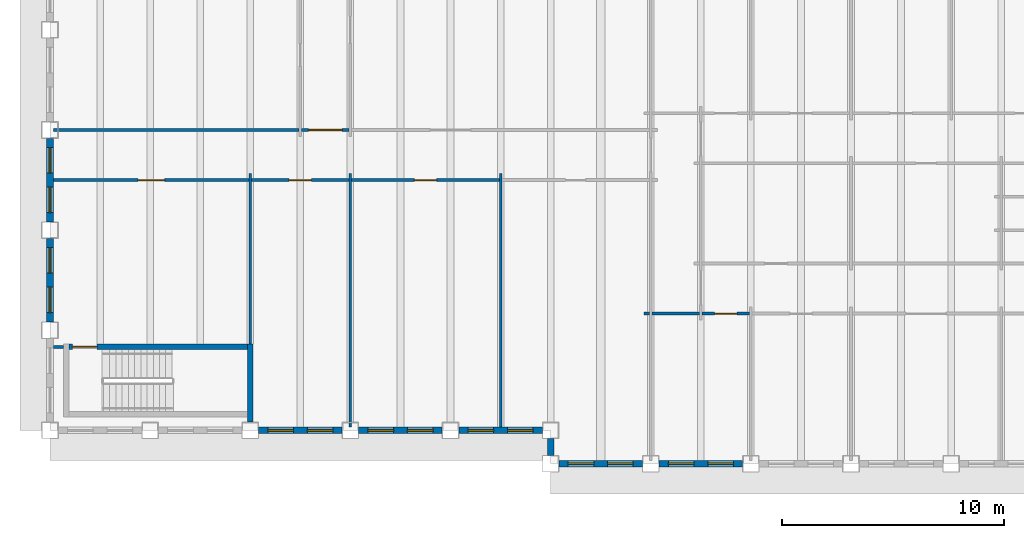
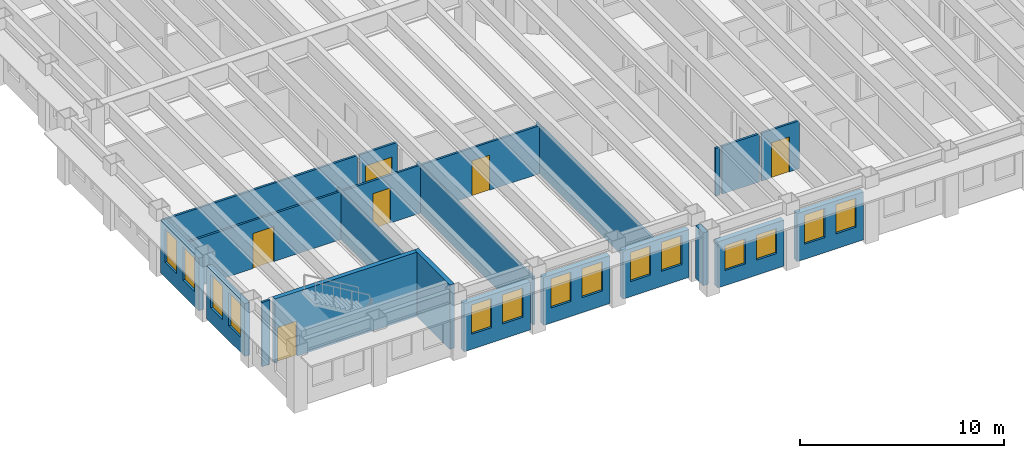
# One storey, part 3 of 16: 22 walls, 14 windows, 6 doors, 20 openings.
"""IFC4 building model written with IfcOpenShell, lengths in metres."""

import ifcopenshell
import ifcopenshell.guid

model = None  # the IFC model being written
_history = None  # IfcOwnerHistory: only IFC2X3 demands one
_inside = {}  # id of a spatial element -> (the spatial element, [elements in it])
_under = {}  # id of a project, library or spatial element -> (it, [spatial elements below it])
_declared = {}  # id of a project -> (the project, [libraries it declares])
_typed = {}  # id of a type object -> (the type object, [elements of that type])
_made_of = {}  # id of a material, layer set ... -> (it, [elements and type objects made of it])


def new_model(schema):
    """Start an empty IFC model of exactly this schema.

    Asked for "IFC4X3", IfcOpenShell would pick the latest addendum, in which some entities
    have other attributes; the version numbers below select the first issue.
    IFC2X3 requires an IfcOwnerHistory on every rooted entity: one is made here for all.
    """
    global model, _history
    if schema == "IFC4X3":
        model = ifcopenshell.file(schema_version=(4, 3, 0, 0))
    else:
        model = ifcopenshell.file(schema=schema)
    _inside.clear()
    _under.clear()
    _declared.clear()
    _typed.clear()
    _made_of.clear()
    _history = None
    if model.schema == "IFC2X3":
        org = make("IfcOrganization", Name="unknown")
        user = make(
            "IfcPersonAndOrganization",
            ThePerson=make("IfcPerson", FamilyName="unknown"),
            TheOrganization=org,
        )
        app = make(
            "IfcApplication",
            ApplicationDeveloper=org,
            Version="unknown",
            ApplicationFullName="unknown",
            ApplicationIdentifier="unknown",
        )
        _history = make(
            "IfcOwnerHistory",
            OwningUser=user,
            OwningApplication=app,
            ChangeAction="ADDED",
            CreationDate=0,
        )
    return model


def make(cls, **values):
    """One entity of the class cls with the attributes given. An attribute that is None is left unset."""
    return model.create_entity(
        cls, **{name: value for name, value in values.items() if value is not None}
    )


def rooted(cls, **values):
    """An entity with a GlobalId (a new one), such as an element, a storey or a relation."""
    return make(cls, GlobalId=ifcopenshell.guid.new(), OwnerHistory=_history, **values)


def si_unit(unit_type, name, prefix=None):
    """IfcSIUnit, for example si_unit("LENGTHUNIT", "METRE", prefix="MILLI")."""
    return make("IfcSIUnit", UnitType=unit_type, Prefix=prefix, Name=name)


def assignment(units):
    """IfcUnitAssignment: the units of a project."""
    return None if units is None else make("IfcUnitAssignment", Units=units)


def point(xyz):
    """IfcCartesianPoint."""
    return None if xyz is None else make("IfcCartesianPoint", Coordinates=xyz)


def direction(xyz):
    """IfcDirection."""
    return None if xyz is None else make("IfcDirection", DirectionRatios=xyz)


def frame(location, z_axis=None, x_axis=None):
    """IfcAxis2Placement3D, a coordinate frame: its origin and axes. An axis left out is left unset."""
    return make(
        "IfcAxis2Placement3D",
        Location=point(location),
        Axis=direction(z_axis),
        RefDirection=direction(x_axis),
    )


def frame_2d(location, x_axis=None):
    """IfcAxis2Placement2D, a coordinate frame in the plane: its origin and x axis."""
    return make(
        "IfcAxis2Placement2D", Location=point(location), RefDirection=direction(x_axis)
    )


def origin():
    """The frame at (0, 0, 0) with its axes left unset."""
    return frame((0.0, 0.0, 0.0))


def place(relative_to, where):
    """IfcLocalPlacement: puts the frame where relative to a parent placement (None: the world)."""
    return make(
        "IfcLocalPlacement", PlacementRelTo=relative_to, RelativePlacement=where
    )


def context(
    kind, dimensions, precision=None, world=None, true_north=None, identifier=None
):
    """IfcGeometricRepresentationContext, for example the 3D "Model" context."""
    return make(
        "IfcGeometricRepresentationContext",
        ContextIdentifier=identifier,
        ContextType=kind,
        CoordinateSpaceDimension=dimensions,
        Precision=precision,
        WorldCoordinateSystem=world,
        TrueNorth=true_north,
    )


def subcontext(parent, identifier, kind, view, scale=None):
    """IfcGeometricRepresentationSubContext, for example "Body" below "Model"."""
    return make(
        "IfcGeometricRepresentationSubContext",
        ContextIdentifier=identifier,
        ContextType=kind,
        ParentContext=parent,
        TargetScale=scale,
        TargetView=view,
    )


def project(units=None, contexts=None):
    """IfcProject with its units and contexts."""
    return rooted(
        "IfcProject",
        Name="project",
        RepresentationContexts=contexts,
        UnitsInContext=assignment(units),
    )


def spatial(cls, under=None, at=None, **own):
    """A site, building, storey or space (cls), placed at a placement, below another one or the project."""
    s = rooted(cls, ObjectPlacement=at, **own)
    if under is not None:
        _under.setdefault(under.id(), (under, []))[1].append(s)
    return s


def profile(cls, at=None, kind="AREA", **sizes):
    """A parametric profile (cls). Its sizes go by their IFC names, for example OverallWidth=200.0."""
    return make(cls, ProfileType=kind, Position=at, **sizes)


def rectangle(**sizes):
    """IfcRectangleProfileDef."""
    return profile("IfcRectangleProfileDef", **sizes)


def extrude(swept, where, along, depth):
    """IfcExtrudedAreaSolid: the profile swept, set in the frame where, extruded along a direction by depth."""
    return make(
        "IfcExtrudedAreaSolid",
        SweptArea=swept,
        Position=where,
        ExtrudedDirection=direction(along),
        Depth=depth,
    )


def shape(context_of_items, identifier, shape_type, items):
    """IfcShapeRepresentation: the items that make up one representation, for example the "Body"."""
    return make(
        "IfcShapeRepresentation",
        ContextOfItems=context_of_items,
        RepresentationIdentifier=identifier,
        RepresentationType=shape_type,
        Items=items,
    )


def material(Name=None, Category=None):
    """IfcMaterial."""
    return make("IfcMaterial", Name=Name, Category=Category)


def layer(
    of_material, thickness, ventilated=None, Name=None, Category=None, Priority=None
):
    """IfcMaterialLayer: one layer of a wall or slab, of a material (None: an air gap)."""
    return make(
        "IfcMaterialLayer",
        Material=of_material,
        LayerThickness=thickness,
        IsVentilated=ventilated,
        Name=Name,
        Category=Category,
        Priority=Priority,
    )


def layer_set(layers, Name=None):
    """IfcMaterialLayerSet."""
    return make("IfcMaterialLayerSet", MaterialLayers=layers, LayerSetName=Name)


def made_of(thing, what):
    """Note that an element or type object is made of a material, layer set ...; save() writes the relation."""
    if what is not None:
        _made_of.setdefault(what.id(), (what, []))[1].append(thing)
    return thing


def type_object(cls, material=None, **own):
    """A type object (cls), such as IfcWallType, which elements share."""
    return made_of(rooted(cls, **own), material)


def element(
    cls,
    number,
    at=None,
    inside=None,
    cuts=None,
    type_object=None,
    material=None,
    context=None,
    identifier="Body",
    shape_type=None,
    held_by="IfcProductDefinitionShape",
    body=None,
    shapes=None,
    **own,
):
    """One element of the class cls, such as IfcWall. Its Tag is "e" and its number.

    at: its placement. inside: the storey or other place that contains it. cuts: it is an
    opening in that element (IfcRelVoidsElement). A single representation is given by context,
    identifier, shape_type and body (its items); several are given by shapes. held_by: the class
    of the entity that holds the representations. save() writes the other relations.
    """
    e = rooted(cls, Tag="e%d" % number, ObjectPlacement=at, **own)
    if body is not None:
        shapes = [shape(context, identifier, shape_type, body)]
    if shapes is not None:
        e.Representation = make(held_by, Representations=shapes)
    if inside is not None:
        _inside.setdefault(inside.id(), (inside, []))[1].append(e)
    if cuts is not None:
        rooted(
            "IfcRelVoidsElement", RelatingBuildingElement=cuts, RelatedOpeningElement=e
        )
    if type_object is not None:
        _typed.setdefault(type_object.id(), (type_object, []))[1].append(e)
    return made_of(e, material)


def fill(opening, filler):
    """IfcRelFillsElement: the door or window that sits in an opening."""
    return rooted(
        "IfcRelFillsElement",
        RelatingOpeningElement=opening,
        RelatedBuildingElement=filler,
    )


def aggregate(whole, parts):
    """IfcRelAggregates: a whole, such as a stair, and the parts it consists of."""
    return rooted("IfcRelAggregates", RelatingObject=whole, RelatedObjects=parts)


def save(model, path):
    """Write the relations noted so far, then the file.

    IfcRelAggregates (storeys below a building ...), IfcRelContainedInSpatialStructure (elements
    in a storey), IfcRelDefinesByType, IfcRelAssociatesMaterial and IfcRelDeclares: one each for
    every whole, place, type object, material and project.
    """
    for whole, parts in _under.values():
        aggregate(whole, parts)
    for where, things in _inside.values():
        rooted(
            "IfcRelContainedInSpatialStructure",
            RelatedElements=things,
            RelatingStructure=where,
        )
    for kind, things in _typed.values():
        rooted("IfcRelDefinesByType", RelatedObjects=things, RelatingType=kind)
    for what, things in _made_of.values():
        rooted("IfcRelAssociatesMaterial", RelatedObjects=things, RelatingMaterial=what)
    for by, libraries in _declared.values():
        rooted("IfcRelDeclares", RelatingContext=by, RelatedDefinitions=libraries)
    model.write(path)


model = new_model("IFC4")

# Units and contexts
model_context = context("Model", 3, precision=1e-05, world=origin(), true_north=direction((0.0, 1.0)))
body_context = subcontext(model_context, "Body", "Model", "MODEL_VIEW")
ifc_project = project(units=[si_unit("LENGTHUNIT", "METRE"), si_unit("AREAUNIT", "SQUARE_METRE"), si_unit("VOLUMEUNIT", "CUBIC_METRE"), si_unit("PLANEANGLEUNIT", "RADIAN"), si_unit("MASSUNIT", "GRAM", prefix="KILO")], contexts=[model_context])

# Site, building, storey
site_placement = place(None, origin())
site = spatial("IfcSite", under=ifc_project, at=site_placement, CompositionType="ELEMENT")
building_placement = place(site_placement, origin())
building = spatial("IfcBuilding", under=site, at=building_placement, Name="Sennacour Bend Tower", CompositionType="ELEMENT")
storey_placement = place(building_placement, frame((0.0, 0.0, 207.0)))
storey = spatial("IfcBuildingStorey", under=building, at=storey_placement, Name="L47", CompositionType="ELEMENT", Elevation=207.0)

# Walls
ifc_material_1 = material(Name="Plasterboard partition on steel studs", Category="steel")
ifc_layer_1 = layer(ifc_material_1, 0.1201171875, Name="Plasterboard partition on steel studs", Category="steel")
ifc_layer_set_1 = layer_set([ifc_layer_1], Name="Plasterboard partition on steel studs")
wall_type_1 = type_object("IfcWallType", Name="Partition 120", PredefinedType="PARTITIONING", material=ifc_layer_set_1)
wall_1_placement = place(storey_placement, frame((9.0, 3.875, 0.0), z_axis=(0.0, 0.0, 1.0), x_axis=(0.0, 1.0, 0.0)))
element("IfcWall", 1, at=wall_1_placement, inside=storey, type_object=wall_type_1, Name="P-L47-W012a", PredefinedType="PARTITIONING", context=body_context, shape_type="SweptSolid", body=[
    extrude(rectangle(XDim=7.675048828125, YDim=0.1201171875, at=frame_2d((3.83740234375, 0.0))), origin(), (0.0, 0.0, 1.0), 2.8701171875),
])
for number, where, z_axis, x_axis, name in (
    (2, (13.5, 0.14990234375, 0.0), (0.0, 0.0, 1.0), (0.0, 1.0, 0.0), "P-L47-W018a"),
    (3, (20.25, 0.14990234375, 0.0), (0.0, 0.0, 1.0), (0.0, 1.0, 0.0), "P-L47-W025a"),
):
    element("IfcWall", number, at=place(storey_placement, frame(where, z_axis=z_axis, x_axis=x_axis)), inside=storey, type_object=wall_type_1, Name=name, PredefinedType="PARTITIONING", context=body_context, shape_type="SweptSolid", body=[
        extrude(rectangle(XDim=11.400146484375, YDim=0.1201171875, at=frame_2d((5.7001953125, 0.0))), origin(), (0.0, 0.0, 1.0), 2.8701171875),
    ])
wall_2_placement = place(storey_placement, frame((0.14990234375, 3.75, 0.0), z_axis=(0.0, 0.0, 1.0), x_axis=(1.0, 0.0, 0.0)))
element("IfcWall", 4, at=wall_2_placement, inside=storey, type_object=wall_type_1, Name="P-L47-W055a", PredefinedType="PARTITIONING", context=body_context, shape_type="SweptSolid", body=[
    extrude(rectangle(XDim=0.4501953125, YDim=0.1201171875, at=frame_2d((0.22509765625, 0.0))), origin(), (0.0, 0.0, 1.0), 3.85009765625),
])
wall_3_placement = place(storey_placement, frame((26.699951171875, 5.25, 0.0), z_axis=(0.0, 0.0, 1.0), x_axis=(1.0, 0.0, 0.0)))
element("IfcWall", 5, at=wall_3_placement, inside=storey, type_object=wall_type_1, Name="P-L47-W059aa", PredefinedType="PARTITIONING", context=body_context, shape_type="SweptSolid", body=[
    extrude(rectangle(XDim=0.239990234375, YDim=0.1201171875, at=frame_2d((0.1201171875, 0.0))), origin(), (0.0, 0.0, 1.0), 2.8701171875),
])
wall_4_placement = place(storey_placement, frame((27.06005859375, 5.25, 0.0), z_axis=(0.0, 0.0, 1.0), x_axis=(1.0, 0.0, 0.0)))
element("IfcWall", 6, at=wall_4_placement, inside=storey, type_object=wall_type_1, Name="P-L47-W059ab", PredefinedType="PARTITIONING", context=body_context, shape_type="SweptSolid", body=[
    extrude(rectangle(XDim=2.1298828125, YDim=0.1201171875, at=frame_2d((1.06494140625, 0.0))), origin(), (0.0, 0.0, 1.0), 2.8701171875),
])

# Wall, opening, door
wall_5_placement = place(storey_placement, frame((29.31005859375, 5.25, 0.0), z_axis=(0.0, 0.0, 1.0), x_axis=(1.0, 0.0, 0.0)))
wall_5 = element("IfcWall", 7, at=wall_5_placement, inside=storey, type_object=wall_type_1, Name="P-L47-W059ac", PredefinedType="PARTITIONING", context=body_context, shape_type="SweptSolid", body=[
    extrude(rectangle(XDim=2.1298828125, YDim=0.1201171875, at=frame_2d((1.06494140625, 0.0))), origin(), (0.0, 0.0, 1.0), 2.8701171875),
])
opening_1_placement = place(wall_5_placement, frame((0.56494140625, 0.0, 0.0)))
opening_1 = element("IfcOpeningElement", 8, at=opening_1_placement, cuts=wall_5, Name="Opening OD2", PredefinedType="OPENING", context=body_context, shape_type="SweptSolid", body=[
    extrude(rectangle(XDim=1.0, YDim=2.10009765625, at=frame_2d((0.5, 1.050048828125))), frame((0.0, 0.070068359375, 0.0), z_axis=(0.0, -1.0, 0.0), x_axis=(1.0, 0.0, 0.0)), (0.0, 0.0, 1.0), 0.14013671875),
])
ifc_material_2 = material(Name="Timber", Category="wood")
door_type_1 = type_object("IfcDoorType", Name="DR-OFFICE-1000", OperationType="NOTDEFINED", PredefinedType="DOOR", material=ifc_material_2)
door_1_placement = place(opening_1_placement, origin())
door_1 = element("IfcDoor", 9, at=door_1_placement, inside=storey, type_object=door_type_1, Name="Door", OperationType="SINGLE_SWING_LEFT", OverallHeight=2.10009765625, OverallWidth=1.0, PredefinedType="DOOR", context=body_context, shape_type="SweptSolid", body=[
    extrude(rectangle(XDim=1.0, YDim=2.10009765625, at=frame_2d((0.5, 1.050048828125))), frame((0.0, 0.02490234375, 0.0), z_axis=(0.0, -1.0, 0.0), x_axis=(1.0, 0.0, 0.0)), (0.0, 0.0, 1.0), 0.050048828125),
])
fill(opening_1, door_1)

wall_6_placement = place(storey_placement, frame((9.06005859375, 11.25, 0.0), z_axis=(0.0, 0.0, 1.0), x_axis=(1.0, 0.0, 0.0)))
wall_6 = element("IfcWall", 10, at=wall_6_placement, inside=storey, type_object=wall_type_1, Name="P-L47-W066ab", PredefinedType="PARTITIONING", context=body_context, shape_type="SweptSolid", body=[
    extrude(rectangle(XDim=4.3798828125, YDim=0.1201171875, at=frame_2d((2.18994140625, 0.0))), origin(), (0.0, 0.0, 1.0), 2.8701171875),
])
opening_2_placement = place(wall_6_placement, frame((1.68994140625, 0.0, 0.0)))
opening_2 = element("IfcOpeningElement", 11, at=opening_2_placement, cuts=wall_6, Name="Opening OD2", PredefinedType="OPENING", context=body_context, shape_type="SweptSolid", body=[
    extrude(rectangle(XDim=1.0, YDim=2.10009765625, at=frame_2d((0.5, 1.050048828125))), frame((0.0, 0.070068359375, 0.0), z_axis=(0.0, -1.0, 0.0), x_axis=(1.0, 0.0, 0.0)), (0.0, 0.0, 1.0), 0.14013671875),
])
door_2_placement = place(opening_2_placement, origin())
door_2 = element("IfcDoor", 12, at=door_2_placement, inside=storey, type_object=door_type_1, Name="Door", OperationType="SINGLE_SWING_LEFT", OverallHeight=2.10009765625, OverallWidth=1.0, PredefinedType="DOOR", context=body_context, shape_type="SweptSolid", body=[
    extrude(rectangle(XDim=1.0, YDim=2.10009765625, at=frame_2d((0.5, 1.050048828125))), frame((0.0, 0.02490234375, 0.0), z_axis=(0.0, -1.0, 0.0), x_axis=(1.0, 0.0, 0.0)), (0.0, 0.0, 1.0), 0.050048828125),
])
fill(opening_2, door_2)

wall_7_placement = place(storey_placement, frame((13.56005859375, 11.25, 0.0), z_axis=(0.0, 0.0, 1.0), x_axis=(1.0, 0.0, 0.0)))
wall_7 = element("IfcWall", 13, at=wall_7_placement, inside=storey, type_object=wall_type_1, Name="P-L47-W066ac", PredefinedType="PARTITIONING", context=body_context, shape_type="SweptSolid", body=[
    extrude(rectangle(XDim=6.6298828125, YDim=0.1201171875, at=frame_2d((3.31494140625, 0.0))), origin(), (0.0, 0.0, 1.0), 2.8701171875),
])
opening_3_placement = place(wall_7_placement, frame((2.81494140625, 0.0, 0.0)))
opening_3 = element("IfcOpeningElement", 14, at=opening_3_placement, cuts=wall_7, Name="Opening OD2", PredefinedType="OPENING", context=body_context, shape_type="SweptSolid", body=[
    extrude(rectangle(XDim=1.0, YDim=2.10009765625, at=frame_2d((0.5, 1.050048828125))), frame((0.0, 0.070068359375, 0.0), z_axis=(0.0, -1.0, 0.0), x_axis=(1.0, 0.0, 0.0)), (0.0, 0.0, 1.0), 0.14013671875),
])
door_3_placement = place(opening_3_placement, origin())
door_3 = element("IfcDoor", 15, at=door_3_placement, inside=storey, type_object=door_type_1, Name="Door", OperationType="SINGLE_SWING_LEFT", OverallHeight=2.10009765625, OverallWidth=1.0, PredefinedType="DOOR", context=body_context, shape_type="SweptSolid", body=[
    extrude(rectangle(XDim=1.0, YDim=2.10009765625, at=frame_2d((0.5, 1.050048828125))), frame((0.0, 0.02490234375, 0.0), z_axis=(0.0, -1.0, 0.0), x_axis=(1.0, 0.0, 0.0)), (0.0, 0.0, 1.0), 0.050048828125),
])
fill(opening_3, door_3)

# Wall
wall_8_placement = place(storey_placement, frame((0.14990234375, 13.5, 0.0), z_axis=(0.0, 0.0, 1.0), x_axis=(1.0, 0.0, 0.0)))
element("IfcWall", 16, at=wall_8_placement, inside=storey, type_object=wall_type_1, Name="P-L47-W070aa", PredefinedType="PARTITIONING", context=body_context, shape_type="SweptSolid", body=[
    extrude(rectangle(XDim=11.0400390625, YDim=0.1201171875, at=frame_2d((5.52001953125, 0.0))), origin(), (0.0, 0.0, 1.0), 2.8701171875),
])

# Wall, opening, door
ifc_layer_2 = layer(ifc_material_1, 0.1201171875, Name="Plasterboard partition on steel studs", Category="steel")
ifc_layer_set_2 = layer_set([ifc_layer_2], Name="Plasterboard partition on steel studs")
wall_type_2 = type_object("IfcWallType", Name="Partition 120 EI 30", PredefinedType="PARTITIONING", material=ifc_layer_set_2)
wall_9_placement = place(storey_placement, frame((0.14990234375, 11.25, 0.0), z_axis=(0.0, 0.0, 1.0), x_axis=(1.0, 0.0, 0.0)))
wall_9 = element("IfcWall", 17, at=wall_9_placement, inside=storey, type_object=wall_type_2, Name="P-L47-W066aa", PredefinedType="PARTITIONING", context=body_context, shape_type="SweptSolid", body=[
    extrude(rectangle(XDim=8.7900390625, YDim=0.1201171875, at=frame_2d((4.39501953125, 0.0))), origin(), (0.0, 0.0, 1.0), 2.8701171875),
])
opening_4_placement = place(wall_9_placement, frame((3.80517578125, 0.0, 0.0)))
opening_4 = element("IfcOpeningElement", 18, at=opening_4_placement, cuts=wall_9, Name="Opening KD2", PredefinedType="OPENING", context=body_context, shape_type="SweptSolid", body=[
    extrude(rectangle(XDim=1.199951171875, YDim=2.10009765625, at=frame_2d((0.60009765625, 1.050048828125))), frame((0.0, 0.070068359375, 0.0), z_axis=(0.0, -1.0, 0.0), x_axis=(1.0, 0.0, 0.0)), (0.0, 0.0, 1.0), 0.14013671875),
])
ifc_material_3 = material(Name="Painted steel", Category="steel")
door_type_2 = type_object("IfcDoorType", Name="DR-CORRIDOR-1200", OperationType="NOTDEFINED", PredefinedType="DOOR", material=ifc_material_3)
door_4_placement = place(opening_4_placement, origin())
door_4 = element("IfcDoor", 19, at=door_4_placement, inside=storey, type_object=door_type_2, Name="Door", OperationType="SINGLE_SWING_LEFT", OverallHeight=2.10009765625, OverallWidth=1.199951171875, PredefinedType="DOOR", context=body_context, shape_type="SweptSolid", body=[
    extrude(rectangle(XDim=1.199951171875, YDim=2.10009765625, at=frame_2d((0.60009765625, 1.050048828125))), frame((0.0, 0.02490234375, 0.0), z_axis=(0.0, -1.0, 0.0), x_axis=(1.0, 0.0, 0.0)), (0.0, 0.0, 1.0), 0.050048828125),
])
fill(opening_4, door_4)

wall_10_placement = place(storey_placement, frame((11.31005859375, 13.5, 0.0), z_axis=(0.0, 0.0, 1.0), x_axis=(1.0, 0.0, 0.0)))
wall_10 = element("IfcWall", 20, at=wall_10_placement, inside=storey, type_object=wall_type_2, Name="P-L47-W070ab", PredefinedType="PARTITIONING", context=body_context, shape_type="SweptSolid", body=[
    extrude(rectangle(XDim=2.1298828125, YDim=0.1201171875, at=frame_2d((1.06494140625, 0.0))), origin(), (0.0, 0.0, 1.0), 2.8701171875),
])
opening_5_placement = place(wall_10_placement, frame((0.31494140625, 0.0, 0.0)))
opening_5 = element("IfcOpeningElement", 21, at=opening_5_placement, cuts=wall_10, Name="Opening KD", PredefinedType="OPENING", context=body_context, shape_type="SweptSolid", body=[
    extrude(rectangle(XDim=1.5, YDim=2.10009765625, at=frame_2d((0.75, 1.050048828125))), frame((0.0, 0.070068359375, 0.0), z_axis=(0.0, -1.0, 0.0), x_axis=(1.0, 0.0, 0.0)), (0.0, 0.0, 1.0), 0.14013671875),
])
door_type_3 = type_object("IfcDoorType", Name="DR-CORRIDOR-1500", OperationType="NOTDEFINED", PredefinedType="DOOR", material=ifc_material_3)
door_5_placement = place(opening_5_placement, origin())
door_5 = element("IfcDoor", 22, at=door_5_placement, inside=storey, type_object=door_type_3, Name="Door", OperationType="SINGLE_SWING_LEFT", OverallHeight=2.10009765625, OverallWidth=1.5, PredefinedType="DOOR", context=body_context, shape_type="SweptSolid", body=[
    extrude(rectangle(XDim=1.5, YDim=2.10009765625, at=frame_2d((0.75, 1.050048828125))), frame((0.0, 0.02490234375, 0.0), z_axis=(0.0, -1.0, 0.0), x_axis=(1.0, 0.0, 0.0)), (0.0, 0.0, 1.0), 0.050048828125),
])
fill(opening_5, door_5)

# Wall, openings, windows
ifc_material_4 = material(Name="Warm limestone cladding", Category="masonry")
ifc_layer_3 = layer(ifc_material_4, 0.050048828125, Name="Warm limestone cladding", Category="masonry")
ifc_material_5 = material(Name="Precast concrete C40/50", Category="concrete")
ifc_layer_4 = layer(ifc_material_5, 0.25, Name="Precast concrete C40/50", Category="concrete")
ifc_layer_set_3 = layer_set([ifc_layer_3, ifc_layer_4], Name="Precast concrete C40/50 with limestone cladding")
wall_type_3 = type_object("IfcWallType", Name="STONE-CLAD PRECAST SPANDREL 300", PredefinedType="STANDARD", material=ifc_layer_set_3)
wall_11_placement = place(storey_placement, frame((22.875, -1.5, 0.0), z_axis=(0.0, 0.0, 1.0), x_axis=(1.0, 0.0, 0.0)))
wall_11 = element("IfcWall", 23, at=wall_11_placement, inside=storey, type_object=wall_type_3, Name="Stone spandrel and pier wall L47 00.00", PredefinedType="STANDARD", context=body_context, shape_type="SweptSolid", body=[
    extrude(rectangle(XDim=3.75, YDim=0.300048828125, at=frame_2d((1.875, 0.0))), origin(), (0.0, 0.0, 1.0), 2.760009765625),
])
opening_6_placement = place(wall_11_placement, frame((0.41259765625, 0.0, 0.89990234375)))
opening_6 = element("IfcOpeningElement", 24, at=opening_6_placement, cuts=wall_11, Name="Opening W22", PredefinedType="OPENING", context=body_context, shape_type="SweptSolid", body=[
    extrude(rectangle(XDim=1.14990234375, YDim=1.5, at=frame_2d((0.574951171875, 0.75))), frame((0.0, 0.16015625, 0.0), z_axis=(0.0, -1.0, 0.0), x_axis=(1.0, 0.0, 0.0)), (0.0, 0.0, 1.0), 0.320068359375),
])
opening_7_placement = place(wall_11_placement, frame((2.1875, 0.0, 0.89990234375)))
opening_7 = element("IfcOpeningElement", 25, at=opening_7_placement, cuts=wall_11, Name="Opening W22", PredefinedType="OPENING", context=body_context, shape_type="SweptSolid", body=[
    extrude(rectangle(XDim=1.14990234375, YDim=1.5, at=frame_2d((0.574951171875, 0.75))), frame((0.0, 0.16015625, 0.0), z_axis=(0.0, -1.0, 0.0), x_axis=(1.0, 0.0, 0.0)), (0.0, 0.0, 1.0), 0.320068359375),
])
ifc_material_6 = material(Name="Clear low-emissivity glass", Category="glass")
window_type_1 = type_object("IfcWindowType", Name="WIN-RIBBON-1150x1500", PartitioningType="SINGLE_PANEL", PredefinedType="WINDOW", material=ifc_material_6)
window_1_placement = place(opening_6_placement, origin())
window_1 = element("IfcWindow", 26, at=window_1_placement, inside=storey, type_object=window_type_1, Name="Ribbon window L47 00.00.0", OverallHeight=1.5, OverallWidth=1.14990234375, PartitioningType="SINGLE_PANEL", PredefinedType="WINDOW", context=body_context, shape_type="SweptSolid", body=[
    extrude(rectangle(XDim=1.14990234375, YDim=1.5, at=frame_2d((0.574951171875, 0.75))), frame((0.0, 0.030029296875, 0.0), z_axis=(0.0, -1.0, 0.0), x_axis=(1.0, 0.0, 0.0)), (0.0, 0.0, 1.0), 0.06005859375),
])
fill(opening_6, window_1)
window_2_placement = place(opening_7_placement, origin())
window_2 = element("IfcWindow", 27, at=window_2_placement, inside=storey, type_object=window_type_1, Name="Ribbon window L47 00.00.1", OverallHeight=1.5, OverallWidth=1.14990234375, PartitioningType="SINGLE_PANEL", PredefinedType="WINDOW", context=body_context, shape_type="SweptSolid", body=[
    extrude(rectangle(XDim=1.14990234375, YDim=1.5, at=frame_2d((0.574951171875, 0.75))), frame((0.0, 0.030029296875, 0.0), z_axis=(0.0, -1.0, 0.0), x_axis=(1.0, 0.0, 0.0)), (0.0, 0.0, 1.0), 0.06005859375),
])
fill(opening_7, window_2)

wall_12_placement = place(storey_placement, frame((27.375, -1.5, 0.0), z_axis=(0.0, 0.0, 1.0), x_axis=(1.0, 0.0, 0.0)))
wall_12 = element("IfcWall", 28, at=wall_12_placement, inside=storey, type_object=wall_type_3, Name="Stone spandrel and pier wall L47 00.01", PredefinedType="STANDARD", context=body_context, shape_type="SweptSolid", body=[
    extrude(rectangle(XDim=3.75, YDim=0.300048828125, at=frame_2d((1.875, 0.0))), origin(), (0.0, 0.0, 1.0), 2.8701171875),
])
opening_8_placement = place(wall_12_placement, frame((0.41259765625, 0.0, 0.89990234375)))
opening_8 = element("IfcOpeningElement", 29, at=opening_8_placement, cuts=wall_12, Name="Opening W23", PredefinedType="OPENING", context=body_context, shape_type="SweptSolid", body=[
    extrude(rectangle(XDim=1.14990234375, YDim=1.75, at=frame_2d((0.574951171875, 0.875))), frame((0.0, 0.16015625, 0.0), z_axis=(0.0, -1.0, 0.0), x_axis=(1.0, 0.0, 0.0)), (0.0, 0.0, 1.0), 0.320068359375),
])
opening_9_placement = place(wall_12_placement, frame((2.1875, 0.0, 0.89990234375)))
opening_9 = element("IfcOpeningElement", 30, at=opening_9_placement, cuts=wall_12, Name="Opening W23", PredefinedType="OPENING", context=body_context, shape_type="SweptSolid", body=[
    extrude(rectangle(XDim=1.14990234375, YDim=1.75, at=frame_2d((0.574951171875, 0.875))), frame((0.0, 0.16015625, 0.0), z_axis=(0.0, -1.0, 0.0), x_axis=(1.0, 0.0, 0.0)), (0.0, 0.0, 1.0), 0.320068359375),
])
window_type_2 = type_object("IfcWindowType", Name="WIN-RIBBON-1150x1750", PartitioningType="SINGLE_PANEL", PredefinedType="WINDOW", material=ifc_material_6)
window_3_placement = place(opening_8_placement, origin())
window_3 = element("IfcWindow", 31, at=window_3_placement, inside=storey, type_object=window_type_2, Name="Ribbon window L47 00.01.0", OverallHeight=1.75, OverallWidth=1.14990234375, PartitioningType="SINGLE_PANEL", PredefinedType="WINDOW", context=body_context, shape_type="SweptSolid", body=[
    extrude(rectangle(XDim=1.14990234375, YDim=1.75, at=frame_2d((0.574951171875, 0.875))), frame((0.0, 0.030029296875, 0.0), z_axis=(0.0, -1.0, 0.0), x_axis=(1.0, 0.0, 0.0)), (0.0, 0.0, 1.0), 0.06005859375),
])
fill(opening_8, window_3)
window_4_placement = place(opening_9_placement, origin())
window_4 = element("IfcWindow", 32, at=window_4_placement, inside=storey, type_object=window_type_2, Name="Ribbon window L47 00.01.1", OverallHeight=1.75, OverallWidth=1.14990234375, PartitioningType="SINGLE_PANEL", PredefinedType="WINDOW", context=body_context, shape_type="SweptSolid", body=[
    extrude(rectangle(XDim=1.14990234375, YDim=1.75, at=frame_2d((0.574951171875, 0.875))), frame((0.0, 0.030029296875, 0.0), z_axis=(0.0, -1.0, 0.0), x_axis=(1.0, 0.0, 0.0)), (0.0, 0.0, 1.0), 0.06005859375),
])
fill(opening_9, window_4)

wall_13_placement = place(storey_placement, frame((0.0, 13.125, 0.0), z_axis=(0.0, 0.0, 1.0), x_axis=(0.0, -1.0, 0.0)))
wall_13 = element("IfcWall", 33, at=wall_13_placement, inside=storey, type_object=wall_type_3, Name="Stone spandrel and pier wall L47 21.02", PredefinedType="STANDARD", context=body_context, shape_type="SweptSolid", body=[
    extrude(rectangle(XDim=3.75, YDim=0.300048828125, at=frame_2d((1.875, 0.0))), origin(), (0.0, 0.0, 1.0), 3.156982421875),
])
opening_10_placement = place(wall_13_placement, frame((0.41259765625, 0.0, 0.89990234375)))
opening_10 = element("IfcOpeningElement", 34, at=opening_10_placement, cuts=wall_13, Name="Opening W24", PredefinedType="OPENING", context=body_context, shape_type="SweptSolid", body=[
    extrude(rectangle(XDim=1.14990234375, YDim=2.0, at=frame_2d((0.574951171875, 1.0))), frame((0.0, 0.16015625, 0.0), z_axis=(0.0, -1.0, 0.0), x_axis=(1.0, 0.0, 0.0)), (0.0, 0.0, 1.0), 0.320068359375),
])
opening_11_placement = place(wall_13_placement, frame((2.1875, 0.0, 0.89990234375)))
opening_11 = element("IfcOpeningElement", 35, at=opening_11_placement, cuts=wall_13, Name="Opening W24", PredefinedType="OPENING", context=body_context, shape_type="SweptSolid", body=[
    extrude(rectangle(XDim=1.14990234375, YDim=2.0, at=frame_2d((0.574951171875, 1.0))), frame((0.0, 0.16015625, 0.0), z_axis=(0.0, -1.0, 0.0), x_axis=(1.0, 0.0, 0.0)), (0.0, 0.0, 1.0), 0.320068359375),
])
window_type_3 = type_object("IfcWindowType", Name="WIN-RIBBON-1150x2000", PartitioningType="SINGLE_PANEL", PredefinedType="WINDOW", material=ifc_material_6)
window_5_placement = place(opening_10_placement, origin())
window_5 = element("IfcWindow", 36, at=window_5_placement, inside=storey, type_object=window_type_3, Name="Ribbon window L47 21.02.0", OverallHeight=2.0, OverallWidth=1.14990234375, PartitioningType="SINGLE_PANEL", PredefinedType="WINDOW", context=body_context, shape_type="SweptSolid", body=[
    extrude(rectangle(XDim=1.14990234375, YDim=2.0, at=frame_2d((0.574951171875, 1.0))), frame((0.0, 0.030029296875, 0.0), z_axis=(0.0, -1.0, 0.0), x_axis=(1.0, 0.0, 0.0)), (0.0, 0.0, 1.0), 0.06005859375),
])
fill(opening_10, window_5)
window_6_placement = place(opening_11_placement, origin())
window_6 = element("IfcWindow", 37, at=window_6_placement, inside=storey, type_object=window_type_3, Name="Ribbon window L47 21.02.1", OverallHeight=2.0, OverallWidth=1.14990234375, PartitioningType="SINGLE_PANEL", PredefinedType="WINDOW", context=body_context, shape_type="SweptSolid", body=[
    extrude(rectangle(XDim=1.14990234375, YDim=2.0, at=frame_2d((0.574951171875, 1.0))), frame((0.0, 0.030029296875, 0.0), z_axis=(0.0, -1.0, 0.0), x_axis=(1.0, 0.0, 0.0)), (0.0, 0.0, 1.0), 0.06005859375),
])
fill(opening_11, window_6)

wall_14_placement = place(storey_placement, frame((0.0, 8.625, 0.0), z_axis=(0.0, 0.0, 1.0), x_axis=(0.0, -1.0, 0.0)))
wall_14 = element("IfcWall", 38, at=wall_14_placement, inside=storey, type_object=wall_type_3, Name="Stone spandrel and pier wall L47 21.03", PredefinedType="STANDARD", context=body_context, shape_type="SweptSolid", body=[
    extrude(rectangle(XDim=3.75, YDim=0.300048828125, at=frame_2d((1.875, 0.0))), origin(), (0.0, 0.0, 1.0), 3.156982421875),
])
opening_12_placement = place(wall_14_placement, frame((0.41259765625, 0.0, 0.89990234375)))
opening_12 = element("IfcOpeningElement", 39, at=opening_12_placement, cuts=wall_14, Name="Opening W24", PredefinedType="OPENING", context=body_context, shape_type="SweptSolid", body=[
    extrude(rectangle(XDim=1.14990234375, YDim=2.0, at=frame_2d((0.574951171875, 1.0))), frame((0.0, 0.16015625, 0.0), z_axis=(0.0, -1.0, 0.0), x_axis=(1.0, 0.0, 0.0)), (0.0, 0.0, 1.0), 0.320068359375),
])
opening_13_placement = place(wall_14_placement, frame((2.1875, 0.0, 0.89990234375)))
opening_13 = element("IfcOpeningElement", 40, at=opening_13_placement, cuts=wall_14, Name="Opening W24", PredefinedType="OPENING", context=body_context, shape_type="SweptSolid", body=[
    extrude(rectangle(XDim=1.14990234375, YDim=2.0, at=frame_2d((0.574951171875, 1.0))), frame((0.0, 0.16015625, 0.0), z_axis=(0.0, -1.0, 0.0), x_axis=(1.0, 0.0, 0.0)), (0.0, 0.0, 1.0), 0.320068359375),
])
window_7_placement = place(opening_12_placement, origin())
window_7 = element("IfcWindow", 41, at=window_7_placement, inside=storey, type_object=window_type_3, Name="Ribbon window L47 21.03.0", OverallHeight=2.0, OverallWidth=1.14990234375, PartitioningType="SINGLE_PANEL", PredefinedType="WINDOW", context=body_context, shape_type="SweptSolid", body=[
    extrude(rectangle(XDim=1.14990234375, YDim=2.0, at=frame_2d((0.574951171875, 1.0))), frame((0.0, 0.030029296875, 0.0), z_axis=(0.0, -1.0, 0.0), x_axis=(1.0, 0.0, 0.0)), (0.0, 0.0, 1.0), 0.06005859375),
])
fill(opening_12, window_7)
window_8_placement = place(opening_13_placement, origin())
window_8 = element("IfcWindow", 42, at=window_8_placement, inside=storey, type_object=window_type_3, Name="Ribbon window L47 21.03.1", OverallHeight=2.0, OverallWidth=1.14990234375, PartitioningType="SINGLE_PANEL", PredefinedType="WINDOW", context=body_context, shape_type="SweptSolid", body=[
    extrude(rectangle(XDim=1.14990234375, YDim=2.0, at=frame_2d((0.574951171875, 1.0))), frame((0.0, 0.030029296875, 0.0), z_axis=(0.0, -1.0, 0.0), x_axis=(1.0, 0.0, 0.0)), (0.0, 0.0, 1.0), 0.06005859375),
])
fill(opening_13, window_8)

wall_15_placement = place(storey_placement, frame((9.375, 0.0, 0.0), z_axis=(0.0, 0.0, 1.0), x_axis=(1.0, 0.0, 0.0)))
wall_15 = element("IfcWall", 43, at=wall_15_placement, inside=storey, type_object=wall_type_3, Name="Stone spandrel and pier wall L47 22.02", PredefinedType="STANDARD", context=body_context, shape_type="SweptSolid", body=[
    extrude(rectangle(XDim=3.75, YDim=0.300048828125, at=frame_2d((1.875, 0.0))), origin(), (0.0, 0.0, 1.0), 2.8701171875),
])
opening_14_placement = place(wall_15_placement, frame((0.41259765625, 0.0, 0.89990234375)))
opening_14 = element("IfcOpeningElement", 44, at=opening_14_placement, cuts=wall_15, Name="Opening W23", PredefinedType="OPENING", context=body_context, shape_type="SweptSolid", body=[
    extrude(rectangle(XDim=1.14990234375, YDim=1.75, at=frame_2d((0.574951171875, 0.875))), frame((0.0, 0.16015625, 0.0), z_axis=(0.0, -1.0, 0.0), x_axis=(1.0, 0.0, 0.0)), (0.0, 0.0, 1.0), 0.320068359375),
])
opening_15_placement = place(wall_15_placement, frame((2.1875, 0.0, 0.89990234375)))
opening_15 = element("IfcOpeningElement", 45, at=opening_15_placement, cuts=wall_15, Name="Opening W23", PredefinedType="OPENING", context=body_context, shape_type="SweptSolid", body=[
    extrude(rectangle(XDim=1.14990234375, YDim=1.75, at=frame_2d((0.574951171875, 0.875))), frame((0.0, 0.16015625, 0.0), z_axis=(0.0, -1.0, 0.0), x_axis=(1.0, 0.0, 0.0)), (0.0, 0.0, 1.0), 0.320068359375),
])
window_9_placement = place(opening_14_placement, origin())
window_9 = element("IfcWindow", 46, at=window_9_placement, inside=storey, type_object=window_type_2, Name="Ribbon window L47 22.02.0", OverallHeight=1.75, OverallWidth=1.14990234375, PartitioningType="SINGLE_PANEL", PredefinedType="WINDOW", context=body_context, shape_type="SweptSolid", body=[
    extrude(rectangle(XDim=1.14990234375, YDim=1.75, at=frame_2d((0.574951171875, 0.875))), frame((0.0, 0.030029296875, 0.0), z_axis=(0.0, -1.0, 0.0), x_axis=(1.0, 0.0, 0.0)), (0.0, 0.0, 1.0), 0.06005859375),
])
fill(opening_14, window_9)
window_10_placement = place(opening_15_placement, origin())
window_10 = element("IfcWindow", 47, at=window_10_placement, inside=storey, type_object=window_type_2, Name="Ribbon window L47 22.02.1", OverallHeight=1.75, OverallWidth=1.14990234375, PartitioningType="SINGLE_PANEL", PredefinedType="WINDOW", context=body_context, shape_type="SweptSolid", body=[
    extrude(rectangle(XDim=1.14990234375, YDim=1.75, at=frame_2d((0.574951171875, 0.875))), frame((0.0, 0.030029296875, 0.0), z_axis=(0.0, -1.0, 0.0), x_axis=(1.0, 0.0, 0.0)), (0.0, 0.0, 1.0), 0.06005859375),
])
fill(opening_15, window_10)

wall_16_placement = place(storey_placement, frame((13.875, 0.0, 0.0), z_axis=(0.0, 0.0, 1.0), x_axis=(1.0, 0.0, 0.0)))
wall_16 = element("IfcWall", 48, at=wall_16_placement, inside=storey, type_object=wall_type_3, Name="Stone spandrel and pier wall L47 22.03", PredefinedType="STANDARD", context=body_context, shape_type="SweptSolid", body=[
    extrude(rectangle(XDim=3.75, YDim=0.300048828125, at=frame_2d((1.875, 0.0))), origin(), (0.0, 0.0, 1.0), 2.8701171875),
])
opening_16_placement = place(wall_16_placement, frame((0.41259765625, 0.0, 0.89990234375)))
opening_16 = element("IfcOpeningElement", 49, at=opening_16_placement, cuts=wall_16, Name="Opening W23", PredefinedType="OPENING", context=body_context, shape_type="SweptSolid", body=[
    extrude(rectangle(XDim=1.14990234375, YDim=1.75, at=frame_2d((0.574951171875, 0.875))), frame((0.0, 0.16015625, 0.0), z_axis=(0.0, -1.0, 0.0), x_axis=(1.0, 0.0, 0.0)), (0.0, 0.0, 1.0), 0.320068359375),
])
opening_17_placement = place(wall_16_placement, frame((2.1875, 0.0, 0.89990234375)))
opening_17 = element("IfcOpeningElement", 50, at=opening_17_placement, cuts=wall_16, Name="Opening W23", PredefinedType="OPENING", context=body_context, shape_type="SweptSolid", body=[
    extrude(rectangle(XDim=1.14990234375, YDim=1.75, at=frame_2d((0.574951171875, 0.875))), frame((0.0, 0.16015625, 0.0), z_axis=(0.0, -1.0, 0.0), x_axis=(1.0, 0.0, 0.0)), (0.0, 0.0, 1.0), 0.320068359375),
])
window_11_placement = place(opening_16_placement, origin())
window_11 = element("IfcWindow", 51, at=window_11_placement, inside=storey, type_object=window_type_2, Name="Ribbon window L47 22.03.0", OverallHeight=1.75, OverallWidth=1.14990234375, PartitioningType="SINGLE_PANEL", PredefinedType="WINDOW", context=body_context, shape_type="SweptSolid", body=[
    extrude(rectangle(XDim=1.14990234375, YDim=1.75, at=frame_2d((0.574951171875, 0.875))), frame((0.0, 0.030029296875, 0.0), z_axis=(0.0, -1.0, 0.0), x_axis=(1.0, 0.0, 0.0)), (0.0, 0.0, 1.0), 0.06005859375),
])
fill(opening_16, window_11)
window_12_placement = place(opening_17_placement, origin())
window_12 = element("IfcWindow", 52, at=window_12_placement, inside=storey, type_object=window_type_2, Name="Ribbon window L47 22.03.1", OverallHeight=1.75, OverallWidth=1.14990234375, PartitioningType="SINGLE_PANEL", PredefinedType="WINDOW", context=body_context, shape_type="SweptSolid", body=[
    extrude(rectangle(XDim=1.14990234375, YDim=1.75, at=frame_2d((0.574951171875, 0.875))), frame((0.0, 0.030029296875, 0.0), z_axis=(0.0, -1.0, 0.0), x_axis=(1.0, 0.0, 0.0)), (0.0, 0.0, 1.0), 0.06005859375),
])
fill(opening_17, window_12)

wall_17_placement = place(storey_placement, frame((18.375, 0.0, 0.0), z_axis=(0.0, 0.0, 1.0), x_axis=(1.0, 0.0, 0.0)))
wall_17 = element("IfcWall", 53, at=wall_17_placement, inside=storey, type_object=wall_type_3, Name="Stone spandrel and pier wall L47 22.04", PredefinedType="STANDARD", context=body_context, shape_type="SweptSolid", body=[
    extrude(rectangle(XDim=3.75, YDim=0.300048828125, at=frame_2d((1.875, 0.0))), origin(), (0.0, 0.0, 1.0), 2.8701171875),
])
opening_18_placement = place(wall_17_placement, frame((0.41259765625, 0.0, 0.89990234375)))
opening_18 = element("IfcOpeningElement", 54, at=opening_18_placement, cuts=wall_17, Name="Opening W23", PredefinedType="OPENING", context=body_context, shape_type="SweptSolid", body=[
    extrude(rectangle(XDim=1.14990234375, YDim=1.75, at=frame_2d((0.574951171875, 0.875))), frame((0.0, 0.16015625, 0.0), z_axis=(0.0, -1.0, 0.0), x_axis=(1.0, 0.0, 0.0)), (0.0, 0.0, 1.0), 0.320068359375),
])
opening_19_placement = place(wall_17_placement, frame((2.1875, 0.0, 0.89990234375)))
opening_19 = element("IfcOpeningElement", 55, at=opening_19_placement, cuts=wall_17, Name="Opening W23", PredefinedType="OPENING", context=body_context, shape_type="SweptSolid", body=[
    extrude(rectangle(XDim=1.14990234375, YDim=1.75, at=frame_2d((0.574951171875, 0.875))), frame((0.0, 0.16015625, 0.0), z_axis=(0.0, -1.0, 0.0), x_axis=(1.0, 0.0, 0.0)), (0.0, 0.0, 1.0), 0.320068359375),
])
window_13_placement = place(opening_18_placement, origin())
window_13 = element("IfcWindow", 56, at=window_13_placement, inside=storey, type_object=window_type_2, Name="Ribbon window L47 22.04.0", OverallHeight=1.75, OverallWidth=1.14990234375, PartitioningType="SINGLE_PANEL", PredefinedType="WINDOW", context=body_context, shape_type="SweptSolid", body=[
    extrude(rectangle(XDim=1.14990234375, YDim=1.75, at=frame_2d((0.574951171875, 0.875))), frame((0.0, 0.030029296875, 0.0), z_axis=(0.0, -1.0, 0.0), x_axis=(1.0, 0.0, 0.0)), (0.0, 0.0, 1.0), 0.06005859375),
])
fill(opening_18, window_13)
window_14_placement = place(opening_19_placement, origin())
window_14 = element("IfcWindow", 57, at=window_14_placement, inside=storey, type_object=window_type_2, Name="Ribbon window L47 22.04.1", OverallHeight=1.75, OverallWidth=1.14990234375, PartitioningType="SINGLE_PANEL", PredefinedType="WINDOW", context=body_context, shape_type="SweptSolid", body=[
    extrude(rectangle(XDim=1.14990234375, YDim=1.75, at=frame_2d((0.574951171875, 0.875))), frame((0.0, 0.030029296875, 0.0), z_axis=(0.0, -1.0, 0.0), x_axis=(1.0, 0.0, 0.0)), (0.0, 0.0, 1.0), 0.06005859375),
])
fill(opening_19, window_14)

# Walls
wall_18_placement = place(storey_placement, frame((22.5, -0.375, 0.0), z_axis=(0.0, 0.0, 1.0), x_axis=(0.0, -1.0, 0.0)))
element("IfcWall", 58, at=wall_18_placement, inside=storey, type_object=wall_type_3, Name="Stone spandrel and pier wall L47 23.00", PredefinedType="STANDARD", context=body_context, shape_type="SweptSolid", body=[
    extrude(rectangle(XDim=0.75, YDim=0.300048828125, at=frame_2d((0.375, 0.0))), origin(), (0.0, 0.0, 1.0), 3.156982421875),
])
ifc_material_7 = material(Name="Concrete C60/75", Category="concrete")
ifc_layer_5 = layer(ifc_material_7, 0.25, Name="Concrete C60/75", Category="concrete")
ifc_layer_set_4 = layer_set([ifc_layer_5], Name="Concrete C60/75")
wall_type_4 = type_object("IfcWallType", Name="Stair wall 250", PredefinedType="SHEAR", material=ifc_layer_set_4)
wall_19_placement = place(storey_placement, frame((9.0, 0.375, 0.0), z_axis=(0.0, 0.0, 1.0), x_axis=(0.0, 1.0, 0.0)))
element("IfcWall", 59, at=wall_19_placement, inside=storey, type_object=wall_type_4, Name="P-L47-W011", PredefinedType="SHEAR", context=body_context, shape_type="SweptSolid", body=[
    extrude(rectangle(XDim=3.5, YDim=0.25, at=frame_2d((1.75, 0.0))), origin(), (0.0, 0.0, 1.0), 3.85009765625),
])

# Wall, opening, door
wall_20_placement = place(storey_placement, frame((0.85009765625, 3.75, 0.0), z_axis=(0.0, 0.0, 1.0), x_axis=(1.0, 0.0, 0.0)))
wall_20 = element("IfcWall", 60, at=wall_20_placement, inside=storey, type_object=wall_type_4, Name="P-L47-W056", PredefinedType="SHEAR", context=body_context, shape_type="SweptSolid", body=[
    extrude(rectangle(XDim=8.02490234375, YDim=0.25, at=frame_2d((4.012451171875, 0.0))), origin(), (0.0, 0.0, 1.0), 3.85009765625),
])
opening_20_placement = place(wall_20_placement, frame((0.14990234375, 0.0, 0.0)))
opening_20 = element("IfcOpeningElement", 61, at=opening_20_placement, cuts=wall_20, Name="Opening SD", PredefinedType="OPENING", context=body_context, shape_type="SweptSolid", body=[
    extrude(rectangle(XDim=1.10009765625, YDim=2.10009765625, at=frame_2d((0.550048828125, 1.050048828125))), frame((0.0, 0.135009765625, 0.0), z_axis=(0.0, -1.0, 0.0), x_axis=(1.0, 0.0, 0.0)), (0.0, 0.0, 1.0), 0.27001953125),
])
door_type_4 = type_object("IfcDoorType", Name="DR-STAIR-1100", OperationType="NOTDEFINED", PredefinedType="DOOR", material=ifc_material_3)
door_6_placement = place(opening_20_placement, origin())
door_6 = element("IfcDoor", 62, at=door_6_placement, inside=storey, type_object=door_type_4, Name="Door", OperationType="SINGLE_SWING_LEFT", OverallHeight=2.10009765625, OverallWidth=1.10009765625, PredefinedType="DOOR", context=body_context, shape_type="SweptSolid", body=[
    extrude(rectangle(XDim=1.10009765625, YDim=2.10009765625, at=frame_2d((0.550048828125, 1.050048828125))), frame((0.0, 0.02490234375, 0.0), z_axis=(0.0, -1.0, 0.0), x_axis=(1.0, 0.0, 0.0)), (0.0, 0.0, 1.0), 0.050048828125),
])
fill(opening_20, door_6)

save(model, "model.ifc")
